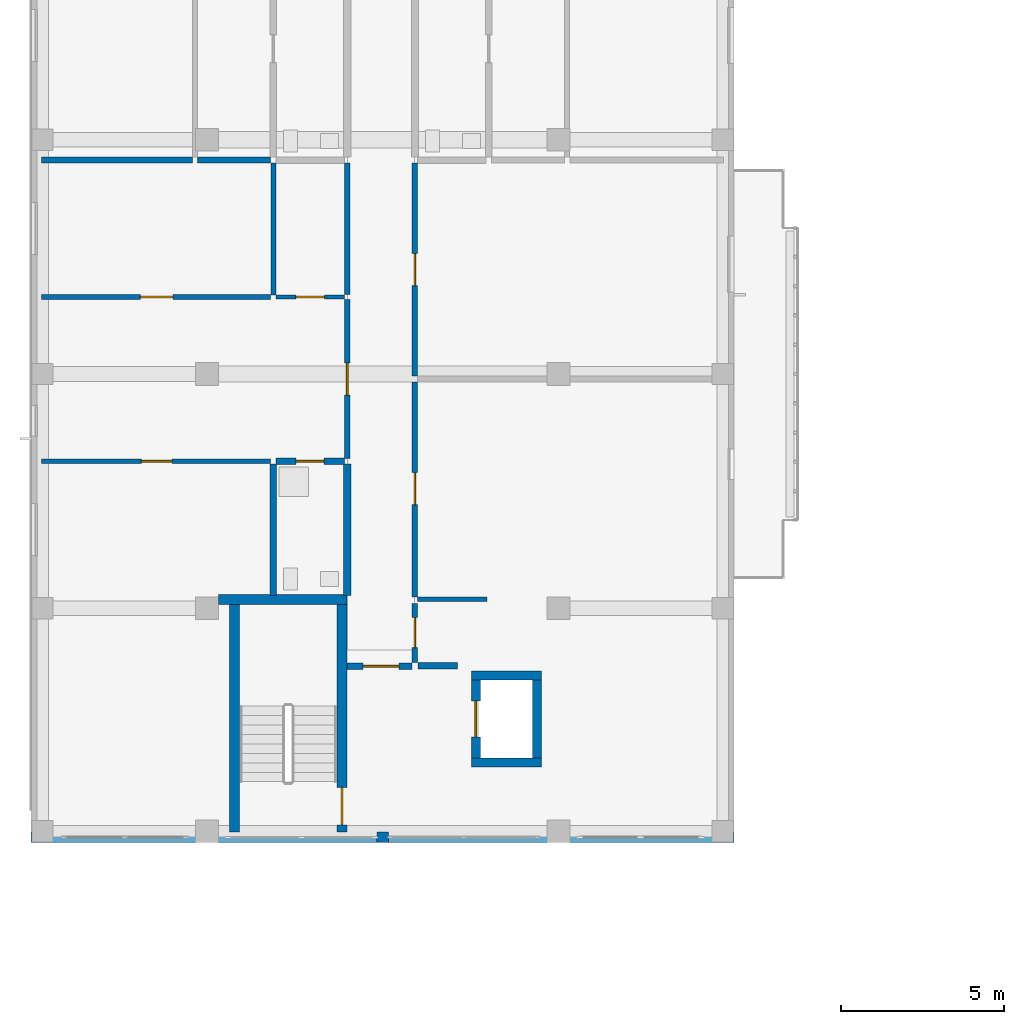
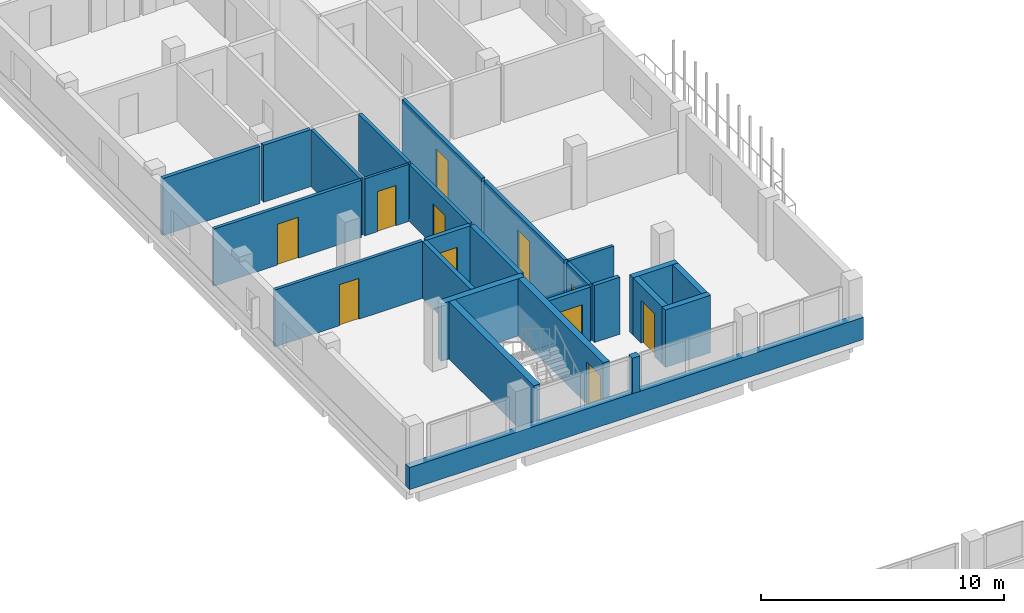
# One storey, part 30 of 56: 26 walls, 11 doors, 11 openings.
"""IFC4 building model written with IfcOpenShell, lengths in metres."""

from ifc_helpers import new_model, si_unit, derived_unit, direction, frame, frame_2d, origin, place, context, subcontext, project, spatial, rectangle, extrude, material, layer, layer_set, type_object, element, fill, save


model = new_model("IFC4")

# Units and contexts
model_context = context("Model", 3, precision=1e-05, world=origin(), true_north=direction((0.0, 1.0)))
body_context = subcontext(model_context, "Body", "Model", "MODEL_VIEW")
ifc_project = project(units=[si_unit("LENGTHUNIT", "METRE"), si_unit("AREAUNIT", "SQUARE_METRE"), si_unit("VOLUMEUNIT", "CUBIC_METRE"), si_unit("PLANEANGLEUNIT", "RADIAN"), si_unit("MASSUNIT", "GRAM", prefix="KILO"), derived_unit("THERMALTRANSMITTANCEUNIT", [(si_unit("MASSUNIT", "GRAM", prefix="KILO"), 1), (si_unit("TIMEUNIT", "SECOND"), -3), (si_unit("THERMODYNAMICTEMPERATUREUNIT", "KELVIN"), -1)])], contexts=[model_context])

# Site, building, storey
site_placement = place(None, origin())
site = spatial("IfcSite", under=ifc_project, at=site_placement, CompositionType="ELEMENT")
building_placement = place(site_placement, origin())
building = spatial("IfcBuilding", under=site, at=building_placement, Name="Ochrekiln Boulevard Commons", CompositionType="ELEMENT")
storey_placement = place(building_placement, frame((0.0, 0.0, 12.074951171875)))
storey = spatial("IfcBuildingStorey", under=building, at=storey_placement, Name="L03", CompositionType="ELEMENT", Elevation=12.074951171875)

# Walls
ifc_material_1 = material(Name="Desert ochre clinker brick masonry ASTM C216 Grade SW", Category="masonry")
ifc_layer_1 = layer(ifc_material_1, 0.320068359375)
ifc_layer_set_1 = layer_set([ifc_layer_1], Name="Desert ochre clinker brick masonry ASTM C216 Grade SW")
wall_type_1 = type_object("IfcWallType", Name="WL-EXT-OCHRE-320", PredefinedType="SOLIDWALL", material=ifc_layer_set_1)
wall_1_placement = place(storey_placement, frame((0.0, 68.56005859375, 0.0), z_axis=(0.0, 0.0, 1.0), x_axis=(1.0, 0.0, 0.0)))
element("IfcWall", 1, at=wall_1_placement, inside=storey, type_object=wall_type_1, Name="Block A L03 Courtyard Gable Sill Wall", PredefinedType="SOLIDWALL", context=body_context, shape_type="SweptSolid", body=[
    extrude(rectangle(XDim=21.60009765625, YDim=0.320068359375, at=frame_2d((10.800048828125, 0.0))), origin(), (0.0, 0.0, 1.0), 1.110107421875),
])
wall_2_placement = place(storey_placement, frame((10.6201171875, 68.56005859375, 1.110107421875), z_axis=(0.0, 0.0, 1.0), x_axis=(1.0, 0.0, 0.0)))
element("IfcWall", 2, at=wall_2_placement, inside=storey, type_object=wall_type_1, Name="Block A L03 Courtyard Gable Mullion Pier", PredefinedType="SOLIDWALL", context=body_context, shape_type="SweptSolid", body=[
    extrude(rectangle(XDim=0.35986328125, YDim=0.320068359375, at=frame_2d((0.179931640625, 0.0))), origin(), (0.0, 0.0, 1.0), 1.780029296875),
])

# Wall, opening, door
ifc_material_2 = material(Name="Moisture-resistant cementitious tile backer wall")
ifc_layer_2 = layer(ifc_material_2, 0.199951171875)
ifc_layer_set_2 = layer_set([ifc_layer_2], Name="Moisture-resistant cementitious tile backer wall")
wall_type_2 = type_object("IfcWallType", Name="WL-PLM-200", PredefinedType="PLUMBINGWALL", material=ifc_layer_set_2)
wall_3_placement = place(storey_placement, frame((7.52001953125, 80.118896484375, 0.0), z_axis=(0.0, 0.0, 1.0), x_axis=(1.0, 0.0, 0.0)))
wall_3 = element("IfcWall", 3, at=wall_3_placement, inside=storey, type_object=wall_type_2, Name="L03 Interior Wall W-PW200", PredefinedType="PLUMBINGWALL", context=body_context, shape_type="SweptSolid", body=[
    extrude(rectangle(XDim=2.10791015625, YDim=0.199951171875, at=frame_2d((1.053955078125, 0.0))), origin(), (0.0, 0.0, 1.0), 2.8701171875),
])
opening_1_placement = place(wall_3_placement, frame((0.6201171875, 0.0, 0.0)))
opening_1 = element("IfcOpeningElement", 4, at=opening_1_placement, cuts=wall_3, Name="Opening D-L03-454", PredefinedType="OPENING", context=body_context, shape_type="SweptSolid", body=[
    extrude(rectangle(XDim=0.860107421875, YDim=2.0, at=frame_2d((0.43017578125, 1.0))), frame((0.0, 0.10986328125, 0.0), z_axis=(0.0, -1.0, 0.0), x_axis=(1.0, 0.0, 0.0)), (0.0, 0.0, 1.0), 0.219970703125),
])
ifc_material_3 = material(Name="Solid core architectural oak door leaf")
door_type_1 = type_object("IfcDoorType", Name="DR-INT-BTH-086", OperationType="NOTDEFINED", PredefinedType="DOOR", material=ifc_material_3)
door_1_placement = place(opening_1_placement, frame((0.860107421875, 0.0, 0.0), z_axis=(0.0, 0.0, 1.0), x_axis=(-1.0, 0.0, 0.0)))
door_1 = element("IfcDoor", 5, at=door_1_placement, inside=storey, type_object=door_type_1, Name="L03 Interior Door to Accessible Apartment Bathroom", OperationType="SINGLE_SWING_RIGHT", OverallHeight=2.0, OverallWidth=0.860107421875, PredefinedType="DOOR", context=body_context, shape_type="SweptSolid", body=[
    extrude(rectangle(XDim=0.860107421875, YDim=2.0, at=frame_2d((0.43017578125, 1.0))), frame((0.0, 0.02490234375, 0.0), z_axis=(0.0, -1.0, 0.0), x_axis=(1.0, 0.0, 0.0)), (0.0, 0.0, 1.0), 0.050048828125),
])
fill(opening_1, door_1)

# Walls
wall_4_placement = place(storey_placement, frame((7.43994140625, 76.0, 0.0), z_axis=(0.0, 0.0, 1.0), x_axis=(0.0, 1.0, 0.0)))
element("IfcWall", 6, at=wall_4_placement, inside=storey, type_object=wall_type_2, Name="L03 Interior Wall W-PW200", PredefinedType="PLUMBINGWALL", context=body_context, shape_type="SweptSolid", body=[
    extrude(rectangle(XDim=4.0390625, YDim=0.199951171875, at=frame_2d((2.01953125, 0.0))), origin(), (0.0, 0.0, 1.0), 2.8701171875),
])
ifc_layer_3 = layer(ifc_material_2, 0.219970703125)
ifc_layer_set_3 = layer_set([ifc_layer_3], Name="Moisture-resistant cementitious tile backer wall")
wall_type_3 = type_object("IfcWallType", Name="WL-PLM-220", PredefinedType="PLUMBINGWALL", material=ifc_layer_set_3)
wall_5_placement = place(storey_placement, frame((9.7099609375, 76.0, 0.0), z_axis=(0.0, 0.0, 1.0), x_axis=(0.0, 1.0, 0.0)))
element("IfcWall", 7, at=wall_5_placement, inside=storey, type_object=wall_type_3, Name="L03 Interior Wall W-PW220", PredefinedType="PLUMBINGWALL", context=body_context, shape_type="SweptSolid", body=[
    extrude(rectangle(XDim=4.0390625, YDim=0.219970703125, at=frame_2d((2.01953125, 0.0))), origin(), (0.0, 0.0, 1.0), 2.8701171875),
])
ifc_material_4 = material(Name="Fire-rated Type X gypsum board on steel studs", Category="steel")
ifc_layer_4 = layer(ifc_material_4, 0.139892578125)
ifc_layer_set_4 = layer_set([ifc_layer_4], Name="Fire-rated Type X gypsum board on steel studs")
wall_type_4 = type_object("IfcWallType", Name="WL-PT-ACO-140", PredefinedType="PARTITIONING", material=ifc_layer_set_4)
wall_6_placement = place(storey_placement, frame((11.8720703125, 75.875, 0.0), z_axis=(0.0, 0.0, 1.0), x_axis=(1.0, 0.0, 0.0)))
element("IfcWall", 8, at=wall_6_placement, inside=storey, type_object=wall_type_4, Name="L03 Interior Wall W-PA140", PredefinedType="PARTITIONING", context=body_context, shape_type="SweptSolid", body=[
    extrude(rectangle(XDim=2.1279296875, YDim=0.139892578125, at=frame_2d((1.06396484375, 0.0))), origin(), (0.0, 0.0, 1.0), 2.8701171875),
])

# Wall, opening, door
ifc_layer_5 = layer(ifc_material_4, 0.1650390625)
ifc_layer_set_5 = layer_set([ifc_layer_5], Name="Fire-rated Type X gypsum board on steel studs")
wall_type_5 = type_object("IfcWallType", Name="WL-PT-CORR-165", PredefinedType="PARTITIONING", material=ifc_layer_set_5)
wall_7_placement = place(storey_placement, frame((11.7900390625, 73.929931640625, 0.0), z_axis=(0.0, 0.0, 1.0), x_axis=(0.0, 1.0, 0.0)))
wall_7 = element("IfcWall", 9, at=wall_7_placement, inside=storey, type_object=wall_type_5, Name="L03 Interior Wall W-PC165", PredefinedType="PARTITIONING", context=body_context, shape_type="SweptSolid", body=[
    extrude(rectangle(XDim=1.820068359375, YDim=0.1650390625, at=frame_2d((0.91015625, 0.0))), origin(), (0.0, 0.0, 1.0), 2.8701171875),
])
opening_2_placement = place(wall_7_placement, frame((0.4599609375, 0.0, 0.0)))
opening_2 = element("IfcOpeningElement", 10, at=opening_2_placement, cuts=wall_7, Name="Opening D-L03-448", PredefinedType="OPENING", context=body_context, shape_type="SweptSolid", body=[
    extrude(rectangle(XDim=0.919921875, YDim=2.0400390625, at=frame_2d((0.4599609375, 1.02001953125))), frame((0.0, 0.092529296875, 0.0), z_axis=(0.0, -1.0, 0.0), x_axis=(1.0, 0.0, 0.0)), (0.0, 0.0, 1.0), 0.18505859375),
])
ifc_material_5 = material(Name="Hollow metal fire-rated steel door assembly", Category="steel")
door_type_2 = type_object("IfcDoorType", Name="DR-SRV-90", OperationType="NOTDEFINED", PredefinedType="DOOR", material=ifc_material_5)
door_2_placement = place(opening_2_placement, frame((0.919921875, 0.0, 0.0), z_axis=(0.0, 0.0, 1.0), x_axis=(-1.0, 0.0, 0.0)))
door_2 = element("IfcDoor", 11, at=door_2_placement, inside=storey, type_object=door_type_2, Name="L03 Interior Door to Hydronic and Electrical Riser Room", OperationType="SINGLE_SWING_RIGHT", OverallHeight=2.0400390625, OverallWidth=0.919921875, PredefinedType="DOOR", context=body_context, shape_type="SweptSolid", body=[
    extrude(rectangle(XDim=0.919921875, YDim=2.0400390625, at=frame_2d((0.4599609375, 1.02001953125))), frame((0.0, 0.02490234375, 0.0), z_axis=(0.0, -1.0, 0.0), x_axis=(1.0, 0.0, 0.0)), (0.0, 0.0, 1.0), 0.050048828125),
])
fill(opening_2, door_2)

wall_8_placement = place(storey_placement, frame((9.7099609375, 80.198974609375, 0.0), z_axis=(0.0, 0.0, 1.0), x_axis=(0.0, 1.0, 0.0)))
wall_8 = element("IfcWall", 12, at=wall_8_placement, inside=storey, type_object=wall_type_5, Name="L03 Interior Wall W-PC165", PredefinedType="PARTITIONING", context=body_context, shape_type="SweptSolid", body=[
    extrude(rectangle(XDim=4.887939453125, YDim=0.1650390625, at=frame_2d((2.44384765625, 0.0))), origin(), (0.0, 0.0, 1.0), 2.8701171875),
])
opening_3_placement = place(wall_8_placement, frame((1.9541015625, 0.0, 0.0)))
opening_3 = element("IfcOpeningElement", 13, at=opening_3_placement, cuts=wall_8, Name="Opening D-L03-449", PredefinedType="OPENING", context=body_context, shape_type="SweptSolid", body=[
    extrude(rectangle(XDim=0.97998046875, YDim=2.080078125, at=frame_2d((0.489990234375, 1.0400390625))), frame((0.0, 0.092529296875, 0.0), z_axis=(0.0, -1.0, 0.0), x_axis=(1.0, 0.0, 0.0)), (0.0, 0.0, 1.0), 0.18505859375),
])
door_type_3 = type_object("IfcDoorType", Name="DR-APT-60", OperationType="NOTDEFINED", PredefinedType="DOOR", material=ifc_material_3)
door_3_placement = place(opening_3_placement, origin())
door_3 = element("IfcDoor", 14, at=door_3_placement, inside=storey, type_object=door_type_3, Name="L03 Interior Door to Two-Bedroom Apartment Living Room", OperationType="SINGLE_SWING_LEFT", OverallHeight=2.080078125, OverallWidth=0.97998046875, PredefinedType="DOOR", context=body_context, shape_type="SweptSolid", body=[
    extrude(rectangle(XDim=0.97998046875, YDim=2.080078125, at=frame_2d((0.489990234375, 1.0400390625))), frame((0.0, 0.02490234375, 0.0), z_axis=(0.0, -1.0, 0.0), x_axis=(1.0, 0.0, 0.0)), (0.0, 0.0, 1.0), 0.050048828125),
])
fill(opening_3, door_3)

# Wall
wall_9_placement = place(storey_placement, frame((9.7099609375, 85.2470703125, 0.0), z_axis=(0.0, 0.0, 1.0), x_axis=(0.0, 1.0, 0.0)))
element("IfcWall", 15, at=wall_9_placement, inside=storey, type_object=wall_type_5, Name="L03 Interior Wall W-PC165", PredefinedType="PARTITIONING", context=body_context, shape_type="SweptSolid", body=[
    extrude(rectangle(XDim=4.038818359375, YDim=0.1650390625, at=frame_2d((2.01953125, 0.0))), origin(), (0.0, 0.0, 1.0), 2.8701171875),
])

# Wall, opening, door
wall_10_placement = place(storey_placement, frame((11.7900390625, 75.945068359375, 0.0), z_axis=(0.0, 0.0, 1.0), x_axis=(0.0, 1.0, 0.0)))
wall_10 = element("IfcWall", 16, at=wall_10_placement, inside=storey, type_object=wall_type_5, Name="L03 Interior Wall W-PC165", PredefinedType="PARTITIONING", context=body_context, shape_type="SweptSolid", body=[
    extrude(rectangle(XDim=6.60791015625, YDim=0.1650390625, at=frame_2d((3.303955078125, 0.0))), origin(), (0.0, 0.0, 1.0), 2.8701171875),
])
opening_4_placement = place(wall_10_placement, frame((2.842041015625, 0.0, 0.0)))
opening_4 = element("IfcOpeningElement", 17, at=opening_4_placement, cuts=wall_10, Name="Opening D-L03-451", PredefinedType="OPENING", context=body_context, shape_type="SweptSolid", body=[
    extrude(rectangle(XDim=0.97998046875, YDim=2.080078125, at=frame_2d((0.489990234375, 1.0400390625))), frame((0.0, 0.092529296875, 0.0), z_axis=(0.0, -1.0, 0.0), x_axis=(1.0, 0.0, 0.0)), (0.0, 0.0, 1.0), 0.18505859375),
])
door_4_placement = place(opening_4_placement, frame((0.97998046875, 0.0, 0.0), z_axis=(0.0, 0.0, 1.0), x_axis=(-1.0, 0.0, 0.0)))
door_4 = element("IfcDoor", 18, at=door_4_placement, inside=storey, type_object=door_type_3, Name="L03 Interior Door to Resident Study Lounge", OperationType="SINGLE_SWING_LEFT", OverallHeight=2.080078125, OverallWidth=0.97998046875, PredefinedType="DOOR", context=body_context, shape_type="SweptSolid", body=[
    extrude(rectangle(XDim=0.97998046875, YDim=2.080078125, at=frame_2d((0.489990234375, 1.0400390625))), frame((0.0, 0.02490234375, 0.0), z_axis=(0.0, -1.0, 0.0), x_axis=(1.0, 0.0, 0.0)), (0.0, 0.0, 1.0), 0.050048828125),
])
fill(opening_4, door_4)

wall_11_placement = place(storey_placement, frame((11.7900390625, 82.73291015625, 0.0), z_axis=(0.0, 0.0, 1.0), x_axis=(0.0, 1.0, 0.0)))
wall_11 = element("IfcWall", 19, at=wall_11_placement, inside=storey, type_object=wall_type_5, Name="L03 Interior Wall W-PC165", PredefinedType="PARTITIONING", context=body_context, shape_type="SweptSolid", body=[
    extrude(rectangle(XDim=6.552978515625, YDim=0.1650390625, at=frame_2d((3.2763671875, 0.0))), origin(), (0.0, 0.0, 1.0), 2.8701171875),
])
opening_5_placement = place(wall_11_placement, frame((2.785888671875, 0.0, 0.0)))
opening_5 = element("IfcOpeningElement", 20, at=opening_5_placement, cuts=wall_11, Name="Opening D-L03-452", PredefinedType="OPENING", context=body_context, shape_type="SweptSolid", body=[
    extrude(rectangle(XDim=0.97998046875, YDim=2.080078125, at=frame_2d((0.489990234375, 1.0400390625))), frame((0.0, 0.092529296875, 0.0), z_axis=(0.0, -1.0, 0.0), x_axis=(1.0, 0.0, 0.0)), (0.0, 0.0, 1.0), 0.18505859375),
])
door_5_placement = place(opening_5_placement, frame((0.97998046875, 0.0, 0.0), z_axis=(0.0, 0.0, 1.0), x_axis=(-1.0, 0.0, 0.0)))
door_5 = element("IfcDoor", 21, at=door_5_placement, inside=storey, type_object=door_type_3, Name="L03 Interior Door to Resident Reading Library", OperationType="SINGLE_SWING_RIGHT", OverallHeight=2.080078125, OverallWidth=0.97998046875, PredefinedType="DOOR", context=body_context, shape_type="SweptSolid", body=[
    extrude(rectangle(XDim=0.97998046875, YDim=2.080078125, at=frame_2d((0.489990234375, 1.0400390625))), frame((0.0, 0.02490234375, 0.0), z_axis=(0.0, -1.0, 0.0), x_axis=(1.0, 0.0, 0.0)), (0.0, 0.0, 1.0), 0.050048828125),
])
fill(opening_5, door_5)

# Walls
ifc_layer_6 = layer(ifc_material_4, 0.179931640625)
ifc_layer_set_6 = layer_set([ifc_layer_6], Name="Fire-rated Type X gypsum board on steel studs")
wall_type_6 = type_object("IfcWallType", Name="WL-PT-DEM-180", PredefinedType="PARTITIONING", material=ifc_layer_set_6)
wall_12_placement = place(storey_placement, frame((0.320068359375, 89.3759765625, 0.0), z_axis=(0.0, 0.0, 1.0), x_axis=(1.0, 0.0, 0.0)))
element("IfcWall", 22, at=wall_12_placement, inside=storey, type_object=wall_type_6, Name="L03 Interior Wall W-PD180", PredefinedType="PARTITIONING", context=body_context, shape_type="SweptSolid", body=[
    extrude(rectangle(XDim=4.6298828125, YDim=0.179931640625, at=frame_2d((2.31494140625, 0.0))), origin(), (0.0, 0.0, 1.0), 2.8701171875),
])
wall_13_placement = place(storey_placement, frame((5.110107421875, 89.3759765625, 0.0), z_axis=(0.0, 0.0, 1.0), x_axis=(1.0, 0.0, 0.0)))
element("IfcWall", 23, at=wall_13_placement, inside=storey, type_object=wall_type_6, Name="L03 Interior Wall W-PD180", PredefinedType="PARTITIONING", context=body_context, shape_type="SweptSolid", body=[
    extrude(rectangle(XDim=2.25, YDim=0.179931640625, at=frame_2d((1.125, 0.0))), origin(), (0.0, 0.0, 1.0), 2.8701171875),
])
ifc_layer_7 = layer(ifc_material_4, 0.18994140625)
ifc_layer_set_7 = layer_set([ifc_layer_7], Name="Fire-rated Type X gypsum board on steel studs")
wall_type_7 = type_object("IfcWallType", Name="WL-PT-LBY-190", PredefinedType="PARTITIONING", material=ifc_layer_set_7)
wall_14_placement = place(storey_placement, frame((11.8798828125, 73.8349609375, 0.0), z_axis=(0.0, 0.0, 1.0), x_axis=(1.0, 0.0, 0.0)))
element("IfcWall", 24, at=wall_14_placement, inside=storey, type_object=wall_type_7, Name="L03 Interior Wall W-PL190", PredefinedType="PARTITIONING", context=body_context, shape_type="SweptSolid", body=[
    extrude(rectangle(XDim=1.22021484375, YDim=0.18994140625, at=frame_2d((0.610107421875, 0.0))), origin(), (0.0, 0.0, 1.0), 2.8701171875),
])

# Wall, opening, door
wall_15_placement = place(storey_placement, frame((9.699951171875, 73.820068359375, 0.0), z_axis=(0.0, 0.0, 1.0), x_axis=(1.0, 0.0, 0.0)))
wall_15 = element("IfcWall", 25, at=wall_15_placement, inside=storey, type_object=wall_type_7, Name="L03 Interior Wall W-PL190", PredefinedType="PARTITIONING", context=body_context, shape_type="SweptSolid", body=[
    extrude(rectangle(XDim=2.0, YDim=0.18994140625, at=frame_2d((1.0, 0.0))), origin(), (0.0, 0.0, 1.0), 2.8701171875),
])
opening_6_placement = place(wall_15_placement, frame((0.5, 0.0, 0.0)))
opening_6 = element("IfcOpeningElement", 26, at=opening_6_placement, cuts=wall_15, Name="Opening D-L03-446", PredefinedType="OPENING", context=body_context, shape_type="SweptSolid", body=[
    extrude(rectangle(XDim=1.10009765625, YDim=2.1201171875, at=frame_2d((0.550048828125, 1.06005859375))), frame((0.0, 0.10498046875, 0.0), z_axis=(0.0, -1.0, 0.0), x_axis=(1.0, 0.0, 0.0)), (0.0, 0.0, 1.0), 0.2099609375),
])
door_type_4 = type_object("IfcDoorType", Name="DR-LOBBY-60", OperationType="NOTDEFINED", PredefinedType="DOOR", material=ifc_material_5)
door_6_placement = place(opening_6_placement, frame((1.10009765625, 0.0, 0.0), z_axis=(0.0, 0.0, 1.0), x_axis=(-1.0, 0.0, 0.0)))
door_6 = element("IfcDoor", 27, at=door_6_placement, inside=storey, type_object=door_type_4, Name="L03 Interior Door to Fire Service Access Elevator Lobby", OperationType="SINGLE_SWING_RIGHT", OverallHeight=2.1201171875, OverallWidth=1.10009765625, PredefinedType="DOOR", context=body_context, shape_type="SweptSolid", body=[
    extrude(rectangle(XDim=1.10009765625, YDim=2.1201171875, at=frame_2d((0.550048828125, 1.06005859375))), frame((0.0, 0.02490234375, 0.0), z_axis=(0.0, -1.0, 0.0), x_axis=(1.0, 0.0, 0.0)), (0.0, 0.0, 1.0), 0.050048828125),
])
fill(opening_6, door_6)

ifc_layer_8 = layer(ifc_material_4, 0.1201171875)
ifc_layer_set_8 = layer_set([ifc_layer_8], Name="Fire-rated Type X gypsum board on steel studs")
wall_type_8 = type_object("IfcWallType", Name="WL-PT-LGT-120", PredefinedType="PARTITIONING", material=ifc_layer_set_8)
wall_16_placement = place(storey_placement, frame((7.52001953125, 85.1669921875, 0.0), z_axis=(0.0, 0.0, 1.0), x_axis=(1.0, 0.0, 0.0)))
wall_16 = element("IfcWall", 28, at=wall_16_placement, inside=storey, type_object=wall_type_8, Name="L03 Interior Wall W-PL120", PredefinedType="PARTITIONING", context=body_context, shape_type="SweptSolid", body=[
    extrude(rectangle(XDim=2.10791015625, YDim=0.1201171875, at=frame_2d((1.053955078125, 0.0))), origin(), (0.0, 0.0, 1.0), 2.8701171875),
])
opening_7_placement = place(wall_16_placement, frame((0.610107421875, 0.0, 0.0)))
opening_7 = element("IfcOpeningElement", 29, at=opening_7_placement, cuts=wall_16, Name="Opening D-L03-455", PredefinedType="OPENING", context=body_context, shape_type="SweptSolid", body=[
    extrude(rectangle(XDim=0.8798828125, YDim=2.02001953125, at=frame_2d((0.43994140625, 1.010009765625))), frame((0.0, 0.070068359375, 0.0), z_axis=(0.0, -1.0, 0.0), x_axis=(1.0, 0.0, 0.0)), (0.0, 0.0, 1.0), 0.14013671875),
])
door_type_5 = type_object("IfcDoorType", Name="DR-INT-KIT-088", OperationType="NOTDEFINED", PredefinedType="DOOR", material=ifc_material_3)
door_7_placement = place(opening_7_placement, origin())
door_7 = element("IfcDoor", 30, at=door_7_placement, inside=storey, type_object=door_type_5, Name="L03 Interior Door to Apartment Kitchen", OperationType="SINGLE_SWING_LEFT", OverallHeight=2.02001953125, OverallWidth=0.8798828125, PredefinedType="DOOR", context=body_context, shape_type="SweptSolid", body=[
    extrude(rectangle(XDim=0.8798828125, YDim=2.02001953125, at=frame_2d((0.43994140625, 1.010009765625))), frame((0.0, 0.02490234375, 0.0), z_axis=(0.0, -1.0, 0.0), x_axis=(1.0, 0.0, 0.0)), (0.0, 0.0, 1.0), 0.050048828125),
])
fill(opening_7, door_7)

ifc_layer_9 = layer(ifc_material_4, 0.14990234375)
ifc_layer_set_9 = layer_set([ifc_layer_9], Name="Fire-rated Type X gypsum board on steel studs")
wall_type_9 = type_object("IfcWallType", Name="WL-PT-STD-150", PredefinedType="PARTITIONING", material=ifc_layer_set_9)
wall_17_placement = place(storey_placement, frame((0.320068359375, 80.118896484375, 0.0), z_axis=(0.0, 0.0, 1.0), x_axis=(1.0, 0.0, 0.0)))
wall_17 = element("IfcWall", 31, at=wall_17_placement, inside=storey, type_object=wall_type_9, Name="L03 Interior Wall W-PS150", PredefinedType="PARTITIONING", context=body_context, shape_type="SweptSolid", body=[
    extrude(rectangle(XDim=7.0400390625, YDim=0.14990234375, at=frame_2d((3.52001953125, 0.0))), origin(), (0.0, 0.0, 1.0), 2.8701171875),
])
opening_8_placement = place(wall_17_placement, frame((3.06494140625, 0.0, 0.0)))
opening_8 = element("IfcOpeningElement", 32, at=opening_8_placement, cuts=wall_17, Name="Opening D-L03-456", PredefinedType="OPENING", context=body_context, shape_type="SweptSolid", body=[
    extrude(rectangle(XDim=0.93994140625, YDim=2.06005859375, at=frame_2d((0.469970703125, 1.030029296875))), frame((0.0, 0.0849609375, 0.0), z_axis=(0.0, -1.0, 0.0), x_axis=(1.0, 0.0, 0.0)), (0.0, 0.0, 1.0), 0.169921875),
])
door_type_6 = type_object("IfcDoorType", Name="DR-INT-BED-094", OperationType="NOTDEFINED", PredefinedType="DOOR", material=ifc_material_3)
door_8_placement = place(opening_8_placement, frame((0.93994140625, 0.0, 0.0), z_axis=(0.0, 0.0, 1.0), x_axis=(-1.0, 0.0, 0.0)))
door_8 = element("IfcDoor", 33, at=door_8_placement, inside=storey, type_object=door_type_6, Name="L03 Interior Door to Primary Apartment Bedroom", OperationType="SINGLE_SWING_RIGHT", OverallHeight=2.06005859375, OverallWidth=0.93994140625, PredefinedType="DOOR", context=body_context, shape_type="SweptSolid", body=[
    extrude(rectangle(XDim=0.93994140625, YDim=2.06005859375, at=frame_2d((0.469970703125, 1.030029296875))), frame((0.0, 0.02490234375, 0.0), z_axis=(0.0, -1.0, 0.0), x_axis=(1.0, 0.0, 0.0)), (0.0, 0.0, 1.0), 0.050048828125),
])
fill(opening_8, door_8)

wall_18_placement = place(storey_placement, frame((0.320068359375, 85.1669921875, 0.0), z_axis=(0.0, 0.0, 1.0), x_axis=(1.0, 0.0, 0.0)))
wall_18 = element("IfcWall", 34, at=wall_18_placement, inside=storey, type_object=wall_type_9, Name="L03 Interior Wall W-PS150", PredefinedType="PARTITIONING", context=body_context, shape_type="SweptSolid", body=[
    extrude(rectangle(XDim=7.0400390625, YDim=0.14990234375, at=frame_2d((3.52001953125, 0.0))), origin(), (0.0, 0.0, 1.0), 2.8701171875),
])
opening_9_placement = place(wall_18_placement, frame((3.034912109375, 0.0, 0.0)))
opening_9 = element("IfcOpeningElement", 35, at=opening_9_placement, cuts=wall_18, Name="Opening D-L03-457", PredefinedType="OPENING", context=body_context, shape_type="SweptSolid", body=[
    extrude(rectangle(XDim=1.0, YDim=2.06005859375, at=frame_2d((0.5, 1.030029296875))), frame((0.0, 0.0849609375, 0.0), z_axis=(0.0, -1.0, 0.0), x_axis=(1.0, 0.0, 0.0)), (0.0, 0.0, 1.0), 0.169921875),
])
door_type_7 = type_object("IfcDoorType", Name="DR-INT-BED-100", OperationType="NOTDEFINED", PredefinedType="DOOR", material=ifc_material_3)
door_9_placement = place(opening_9_placement, origin())
door_9 = element("IfcDoor", 36, at=door_9_placement, inside=storey, type_object=door_type_7, Name="L03 Interior Door to Secondary Apartment Bedroom", OperationType="SINGLE_SWING_LEFT", OverallHeight=2.06005859375, OverallWidth=1.0, PredefinedType="DOOR", context=body_context, shape_type="SweptSolid", body=[
    extrude(rectangle(XDim=1.0, YDim=2.06005859375, at=frame_2d((0.5, 1.030029296875))), frame((0.0, 0.02490234375, 0.0), z_axis=(0.0, -1.0, 0.0), x_axis=(1.0, 0.0, 0.0)), (0.0, 0.0, 1.0), 0.050048828125),
])
fill(opening_9, door_9)

# Walls
wall_19_placement = place(storey_placement, frame((7.43994140625, 85.22705078125, 0.0), z_axis=(0.0, 0.0, 1.0), x_axis=(0.0, 1.0, 0.0)))
element("IfcWall", 37, at=wall_19_placement, inside=storey, type_object=wall_type_9, Name="L03 Interior Wall W-PS150", PredefinedType="PARTITIONING", context=body_context, shape_type="SweptSolid", body=[
    extrude(rectangle(XDim=4.058837890625, YDim=0.14990234375, at=frame_2d((2.029296875, 0.0))), origin(), (0.0, 0.0, 1.0), 2.8701171875),
])
ifc_material_6 = material(Name="Concrete C40/50", Category="concrete")
ifc_layer_10 = layer(ifc_material_6, 0.27490234375)
ifc_layer_set_10 = layer_set([ifc_layer_10], Name="Concrete C40/50")
wall_type_10 = type_object("IfcWallType", Name="WL-SH-275", PredefinedType="SHEAR", material=ifc_layer_set_10)
for number, where, z_axis, x_axis, name in (
    (38, (13.52490234375, 70.862548828125, 0.0), (0.0, 0.0, 1.0), (1.0, 0.0, 0.0), "Elevator FF-A1 L03 Hoistway Shear Wall"),
    (39, (13.52490234375, 73.53759765625, 0.0), (0.0, 0.0, 1.0), (1.0, 0.0, 0.0), "Elevator FF-A1 L03 Hoistway Shear Wall"),
):
    element("IfcWall", number, at=place(storey_placement, frame(where, z_axis=z_axis, x_axis=x_axis)), inside=storey, type_object=wall_type_10, Name=name, PredefinedType="SHEAR", context=body_context, shape_type="SweptSolid", body=[
        extrude(rectangle(XDim=2.150146484375, YDim=0.27490234375, at=frame_2d((1.0751953125, 0.0))), origin(), (0.0, 0.0, 1.0), 2.89013671875),
    ])

# Wall, opening, door
wall_20_placement = place(storey_placement, frame((13.66259765625, 71.0, 0.0), z_axis=(0.0, 0.0, 1.0), x_axis=(0.0, 1.0, 0.0)))
wall_20 = element("IfcWall", 40, at=wall_20_placement, inside=storey, type_object=wall_type_10, Name="Elevator FF-A1 L03 Hoistway Shear Wall", PredefinedType="SHEAR", context=body_context, shape_type="SweptSolid", body=[
    extrude(rectangle(XDim=2.39990234375, YDim=0.27490234375, at=frame_2d((1.199951171875, 0.0))), origin(), (0.0, 0.0, 1.0), 2.89013671875),
])
opening_10_placement = place(wall_20_placement, frame((0.64990234375, 0.0, 0.0)))
opening_10 = element("IfcOpeningElement", 41, at=opening_10_placement, cuts=wall_20, Name="Opening LD-FF-A1-L03", PredefinedType="OPENING", context=body_context, shape_type="SweptSolid", body=[
    extrude(rectangle(XDim=1.10009765625, YDim=2.14990234375, at=frame_2d((0.550048828125, 1.074951171875))), frame((0.0, 0.1474609375, 0.0), z_axis=(0.0, -1.0, 0.0), x_axis=(1.0, 0.0, 0.0)), (0.0, 0.0, 1.0), 0.294921875),
])
ifc_material_7 = material(Name="Brushed stainless steel 316 elevator cab and doors", Category="steel")
door_type_8 = type_object("IfcDoorType", Name="DR-LIFT-LD90", OperationType="SLIDING_TO_LEFT", PredefinedType="DOOR", material=ifc_material_7)
door_10_placement = place(opening_10_placement, origin())
door_10 = element("IfcDoor", 42, at=door_10_placement, inside=storey, type_object=door_type_8, Name="Elevator FF-A1 L03 Sliding Landing Door LD-FF-A1-L03", OperationType="SLIDING_TO_LEFT", OverallHeight=2.14990234375, OverallWidth=1.10009765625, PredefinedType="DOOR", context=body_context, shape_type="SweptSolid", body=[
    extrude(rectangle(XDim=1.10009765625, YDim=2.14990234375, at=frame_2d((0.550048828125, 1.074951171875))), frame((0.0, 0.02490234375, 0.0), z_axis=(0.0, -1.0, 0.0), x_axis=(1.0, 0.0, 0.0)), (0.0, 0.0, 1.0), 0.050048828125),
])
fill(opening_10, door_10)

# Walls
wall_21_placement = place(storey_placement, frame((15.53759765625, 71.0, 0.0), z_axis=(0.0, 0.0, 1.0), x_axis=(0.0, 1.0, 0.0)))
element("IfcWall", 43, at=wall_21_placement, inside=storey, type_object=wall_type_10, Name="Elevator FF-A1 L03 Hoistway Shear Wall", PredefinedType="SHEAR", context=body_context, shape_type="SweptSolid", body=[
    extrude(rectangle(XDim=2.39990234375, YDim=0.27490234375, at=frame_2d((1.199951171875, 0.0))), origin(), (0.0, 0.0, 1.0), 2.89013671875),
])
ifc_layer_11 = layer(ifc_material_6, 0.300048828125)
ifc_layer_set_11 = layer_set([ifc_layer_11], Name="Concrete C40/50")
wall_type_11 = type_object("IfcWallType", Name="WL-SH-300", PredefinedType="SHEAR", material=ifc_layer_set_11)
wall_22_placement = place(storey_placement, frame((5.75, 75.8701171875, 0.0), z_axis=(0.0, 0.0, 1.0), x_axis=(1.0, 0.0, 0.0)))
element("IfcWall", 44, at=wall_22_placement, inside=storey, type_object=wall_type_11, Name="Stair ST-A1 L03 Core Shear Wall N", PredefinedType="SHEAR", context=body_context, shape_type="SweptSolid", body=[
    extrude(rectangle(XDim=3.949951171875, YDim=0.300048828125, at=frame_2d((1.97509765625, 0.0))), origin(), (0.0, 0.0, 1.0), 2.89013671875),
])
wall_23_placement = place(storey_placement, frame((6.25, 68.719970703125, 0.0), z_axis=(0.0, 0.0, 1.0), x_axis=(0.0, 1.0, 0.0)))
element("IfcWall", 45, at=wall_23_placement, inside=storey, type_object=wall_type_11, Name="Stair ST-A1 L03 Core Shear Wall W", PredefinedType="SHEAR", context=body_context, shape_type="SweptSolid", body=[
    extrude(rectangle(XDim=7.0, YDim=0.300048828125, at=frame_2d((3.5, 0.0))), origin(), (0.0, 0.0, 1.0), 2.89013671875),
])

# Wall, opening, door
wall_24_placement = place(storey_placement, frame((9.550048828125, 68.719970703125, 0.0), z_axis=(0.0, 0.0, 1.0), x_axis=(0.0, 1.0, 0.0)))
wall_24 = element("IfcWall", 46, at=wall_24_placement, inside=storey, type_object=wall_type_11, Name="Stair ST-A1 L03 Core Shear Wall E", PredefinedType="SHEAR", context=body_context, shape_type="SweptSolid", body=[
    extrude(rectangle(XDim=7.0, YDim=0.300048828125, at=frame_2d((3.5, 0.0))), origin(), (0.0, 0.0, 1.0), 2.89013671875),
])
opening_11_placement = place(wall_24_placement, frame((0.22509765625, 0.0, 0.0)))
opening_11 = element("IfcOpeningElement", 47, at=opening_11_placement, cuts=wall_24, Name="Opening D-L03-ST-A1", PredefinedType="OPENING", context=body_context, shape_type="SweptSolid", body=[
    extrude(rectangle(XDim=1.14990234375, YDim=2.1201171875, at=frame_2d((0.574951171875, 1.06005859375))), frame((0.0, 0.159912109375, 0.0), z_axis=(0.0, -1.0, 0.0), x_axis=(1.0, 0.0, 0.0)), (0.0, 0.0, 1.0), 0.320068359375),
])
door_type_9 = type_object("IfcDoorType", Name="DR-STAIR-90", OperationType="NOTDEFINED", PredefinedType="DOOR", material=ifc_material_5)
door_11_placement = place(opening_11_placement, origin())
door_11 = element("IfcDoor", 48, at=door_11_placement, inside=storey, type_object=door_type_9, Name="Enclosed Exit Stair ST-A1 L03 Rated Door", OperationType="SINGLE_SWING_LEFT", OverallHeight=2.1201171875, OverallWidth=1.14990234375, PredefinedType="DOOR", context=body_context, shape_type="SweptSolid", body=[
    extrude(rectangle(XDim=1.14990234375, YDim=2.1201171875, at=frame_2d((0.574951171875, 1.06005859375))), frame((0.0, 0.02490234375, 0.0), z_axis=(0.0, -1.0, 0.0), x_axis=(1.0, 0.0, 0.0)), (0.0, 0.0, 1.0), 0.050048828125),
])
fill(opening_11, door_11)

save(model, "model.ifc")
